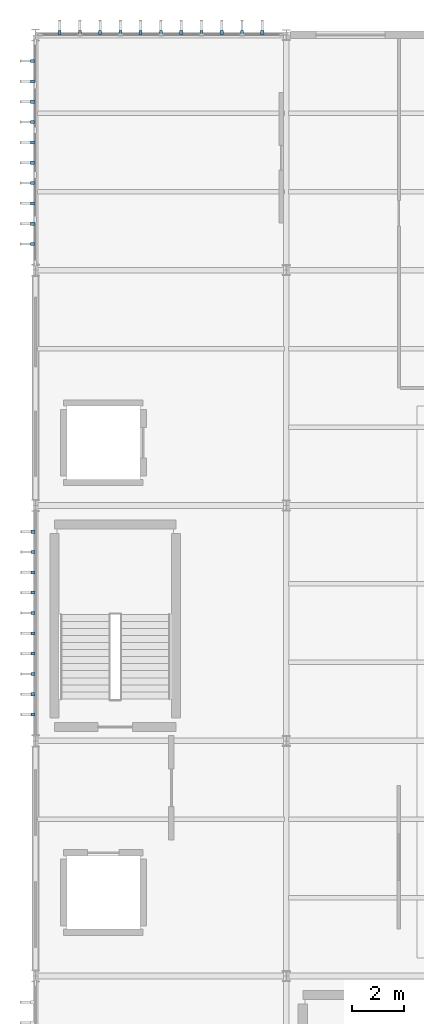
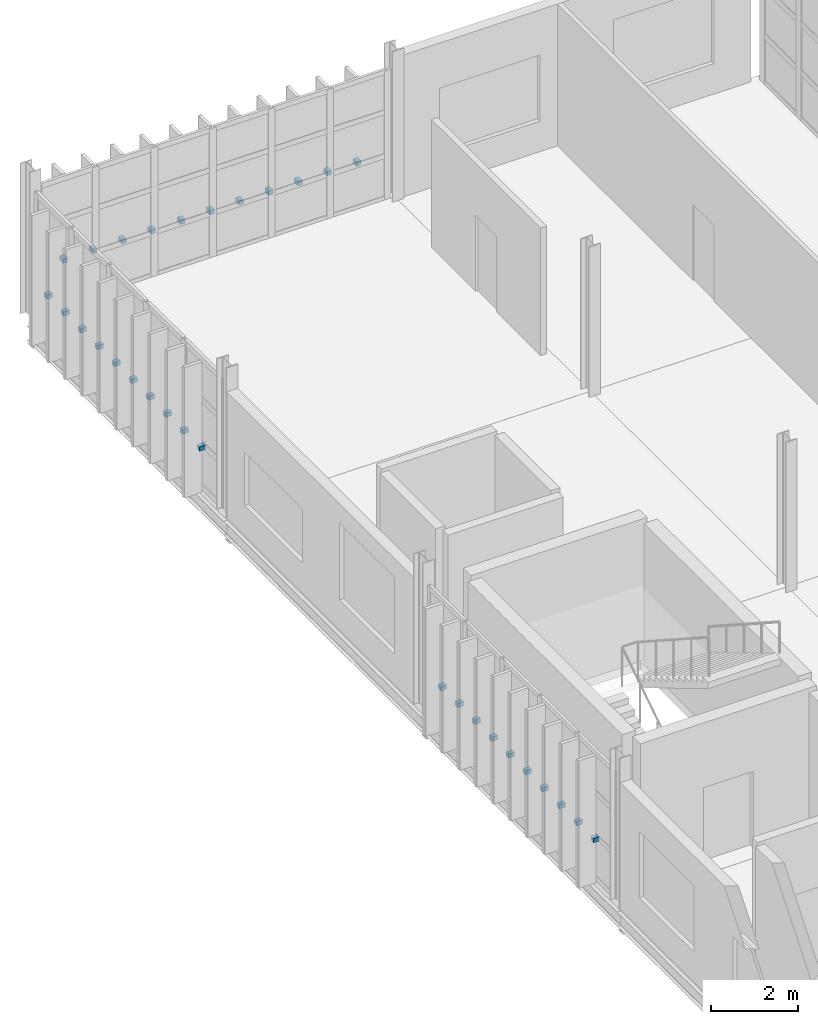
# One storey, part 23 of 38: 31 discrete accessories.
"""IFC4 building model written with IfcOpenShell, lengths in metres."""

from ifc_helpers import new_model, si_unit, direction, frame, origin, origin_2d, place, context, subcontext, project, spatial, rectangle, extrude, material, type_object, element, save


model = new_model("IFC4")

# Units and contexts
model_context = context("Model", 3, precision=1e-05, world=origin(), true_north=direction((0.0, 1.0)))
body_context = subcontext(model_context, "Body", "Model", "MODEL_VIEW")
ifc_project = project(units=[si_unit("LENGTHUNIT", "METRE"), si_unit("AREAUNIT", "SQUARE_METRE"), si_unit("VOLUMEUNIT", "CUBIC_METRE"), si_unit("PLANEANGLEUNIT", "RADIAN"), si_unit("MASSUNIT", "GRAM", prefix="KILO")], contexts=[model_context])

# Site, building, storey
site_placement = place(None, origin())
site = spatial("IfcSite", under=ifc_project, at=site_placement, CompositionType="ELEMENT")
building_placement = place(site_placement, origin())
building = spatial("IfcBuilding", under=site, at=building_placement, Name="Zarnetskaya Central Station", CompositionType="ELEMENT")
storey_placement = place(building_placement, frame((0.0, 0.0, 18.60009765625)))
storey = spatial("IfcBuildingStorey", under=building, at=storey_placement, Name="L04", CompositionType="ELEMENT", Elevation=18.60009765625)

# Discrete accessories
ifc_material = material(Name="Steel S355", Category="steel")
discrete_accessory_type = type_object("IfcDiscreteAccessoryType", Name="ACC-FIN-BRACKET", PredefinedType="BRACKET", material=ifc_material)
for number, where, z_axis, x_axis, name in (
    (1, (-0.090087890625, 32.202392578125, 1.14990234375), (0.0, 0.0, 1.0), (0.0, 1.0, 0.0), "Timber fin fixing bracket CW-L04-049-01"),
    (2, (-0.090087890625, 32.9794921875, 1.14990234375), (0.0, 0.0, 1.0), (0.0, 1.0, 0.0), "Timber fin fixing bracket CW-L04-049-02"),
    (3, (-0.090087890625, 33.7568359375, 1.14990234375), (0.0, 0.0, 1.0), (0.0, 1.0, 0.0), "Timber fin fixing bracket CW-L04-049-03"),
    (4, (-0.090087890625, 34.5341796875, 1.14990234375), (0.0, 0.0, 1.0), (0.0, 1.0, 0.0), "Timber fin fixing bracket CW-L04-049-04"),
    (5, (-0.090087890625, 35.311279296875, 1.14990234375), (0.0, 0.0, 1.0), (0.0, 1.0, 0.0), "Timber fin fixing bracket CW-L04-049-05"),
    (6, (-0.090087890625, 36.088623046875, 1.14990234375), (0.0, 0.0, 1.0), (0.0, 1.0, 0.0), "Timber fin fixing bracket CW-L04-049-06"),
    (7, (-0.090087890625, 36.865966796875, 1.14990234375), (0.0, 0.0, 1.0), (0.0, 1.0, 0.0), "Timber fin fixing bracket CW-L04-049-07"),
    (8, (-0.090087890625, 37.64306640625, 1.14990234375), (0.0, 0.0, 1.0), (0.0, 1.0, 0.0), "Timber fin fixing bracket CW-L04-049-08"),
    (9, (-0.090087890625, 38.42041015625, 1.14990234375), (0.0, 0.0, 1.0), (0.0, 1.0, 0.0), "Timber fin fixing bracket CW-L04-049-09"),
    (10, (-0.090087890625, 39.19775390625, 1.14990234375), (0.0, 0.0, 1.0), (0.0, 1.0, 0.0), "Timber fin fixing bracket CW-L04-049-10"),
    (11, (-0.110107421875, 50.202392578125, 1.177734375), (0.0, 0.0, 1.0), (0.0, 1.0, 0.0), "Timber fin fixing bracket CW-L04-050-01"),
    (12, (-0.110107421875, 50.9794921875, 1.177734375), (0.0, 0.0, 1.0), (0.0, 1.0, 0.0), "Timber fin fixing bracket CW-L04-050-02"),
    (13, (-0.110107421875, 51.7568359375, 1.177734375), (0.0, 0.0, 1.0), (0.0, 1.0, 0.0), "Timber fin fixing bracket CW-L04-050-03"),
    (14, (-0.110107421875, 52.5341796875, 1.177734375), (0.0, 0.0, 1.0), (0.0, 1.0, 0.0), "Timber fin fixing bracket CW-L04-050-04"),
    (15, (-0.110107421875, 53.311279296875, 1.177734375), (0.0, 0.0, 1.0), (0.0, 1.0, 0.0), "Timber fin fixing bracket CW-L04-050-05"),
    (16, (-0.110107421875, 54.088623046875, 1.177734375), (0.0, 0.0, 1.0), (0.0, 1.0, 0.0), "Timber fin fixing bracket CW-L04-050-06"),
    (17, (-0.110107421875, 54.865966796875, 1.177734375), (0.0, 0.0, 1.0), (0.0, 1.0, 0.0), "Timber fin fixing bracket CW-L04-050-07"),
    (18, (-0.110107421875, 55.64306640625, 1.177734375), (0.0, 0.0, 1.0), (0.0, 1.0, 0.0), "Timber fin fixing bracket CW-L04-050-08"),
    (19, (-0.110107421875, 56.42041015625, 1.177734375), (0.0, 0.0, 1.0), (0.0, 1.0, 0.0), "Timber fin fixing bracket CW-L04-050-09"),
    (20, (-0.110107421875, 57.19775390625, 1.177734375), (0.0, 0.0, 1.0), (0.0, 1.0, 0.0), "Timber fin fixing bracket CW-L04-050-10"),
    (21, (0.925048828125, 58.2900390625, 1.163818359375), (0.0, 0.0, 1.0), (1.0, 0.0, 0.0), "Timber fin fixing bracket CW-L04-051-01"),
    (22, (1.699951171875, 58.2900390625, 1.163818359375), (0.0, 0.0, 1.0), (1.0, 0.0, 0.0), "Timber fin fixing bracket CW-L04-051-02"),
    (23, (2.47509765625, 58.2900390625, 1.163818359375), (0.0, 0.0, 1.0), (1.0, 0.0, 0.0), "Timber fin fixing bracket CW-L04-051-03"),
    (24, (3.25, 58.2900390625, 1.163818359375), (0.0, 0.0, 1.0), (1.0, 0.0, 0.0), "Timber fin fixing bracket CW-L04-051-04"),
    (25, (4.02490234375, 58.2900390625, 1.163818359375), (0.0, 0.0, 1.0), (1.0, 0.0, 0.0), "Timber fin fixing bracket CW-L04-051-05"),
    (26, (4.800048828125, 58.2900390625, 1.163818359375), (0.0, 0.0, 1.0), (1.0, 0.0, 0.0), "Timber fin fixing bracket CW-L04-051-06"),
    (27, (5.574951171875, 58.2900390625, 1.163818359375), (0.0, 0.0, 1.0), (1.0, 0.0, 0.0), "Timber fin fixing bracket CW-L04-051-07"),
    (28, (6.35009765625, 58.2900390625, 1.163818359375), (0.0, 0.0, 1.0), (1.0, 0.0, 0.0), "Timber fin fixing bracket CW-L04-051-08"),
    (29, (7.125, 58.2900390625, 1.163818359375), (0.0, 0.0, 1.0), (1.0, 0.0, 0.0), "Timber fin fixing bracket CW-L04-051-09"),
    (30, (7.89990234375, 58.2900390625, 1.163818359375), (0.0, 0.0, 1.0), (1.0, 0.0, 0.0), "Timber fin fixing bracket CW-L04-051-10"),
    (31, (8.675048828125, 58.2900390625, 1.163818359375), (0.0, 0.0, 1.0), (1.0, 0.0, 0.0), "Timber fin fixing bracket CW-L04-051-11"),
):
    element("IfcDiscreteAccessory", number, at=place(storey_placement, frame(where, z_axis=z_axis, x_axis=x_axis)), inside=storey, type_object=discrete_accessory_type, Name=name, PredefinedType="BRACKET", context=body_context, shape_type="SweptSolid", body=[
        extrude(rectangle(XDim=0.1201171875, YDim=0.159912109375, at=origin_2d()), origin(), (0.0, 0.0, 1.0), 0.1201171875),
    ])

save(model, "model.ifc")
